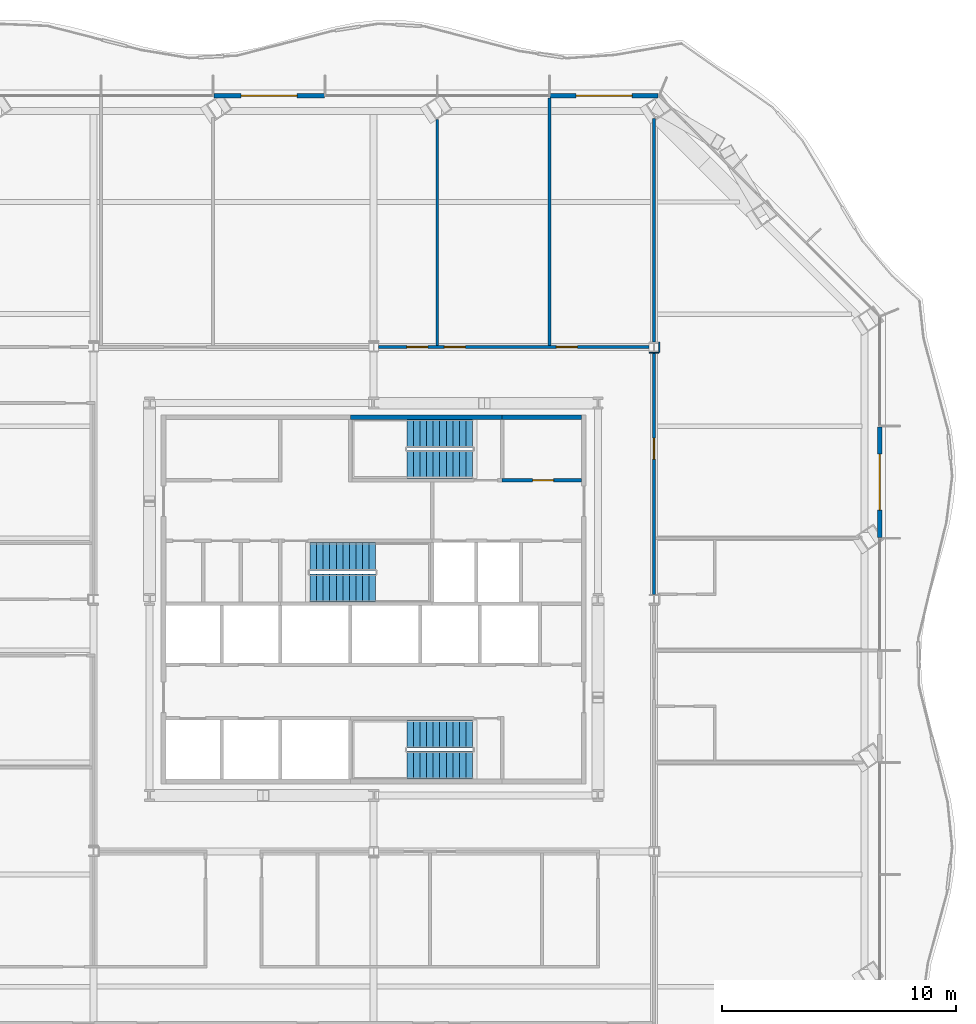
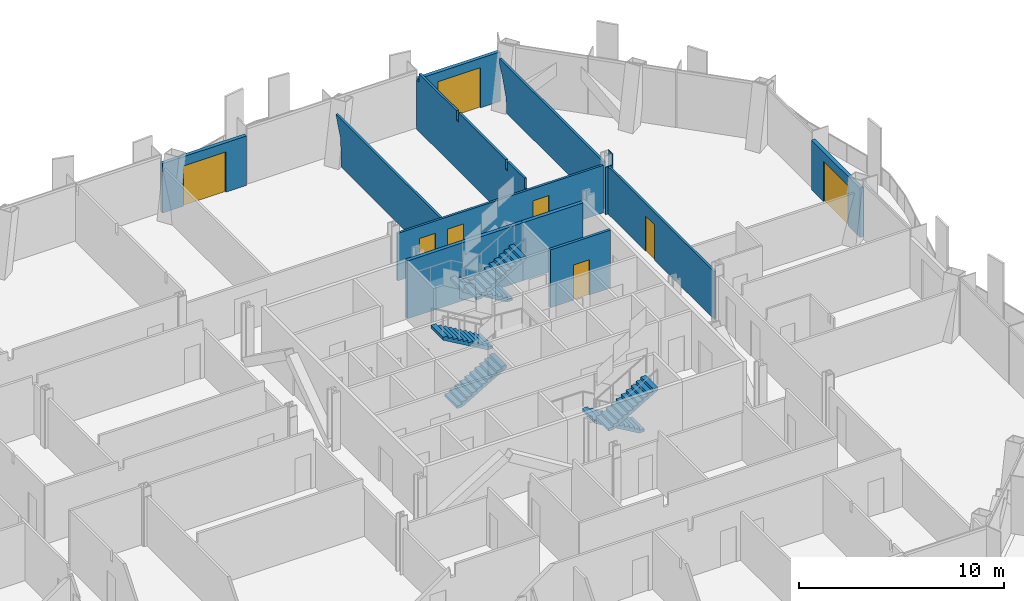
# One storey, part 12 of 19: 13 walls, 8 doors, 6 stair flights, 8 openings, 3 elements without a shape of their own.
"""IFC4 building model written with IfcOpenShell, lengths in metres."""

from ifc_helpers import new_model, si_unit, direction, frame, frame_2d, origin, place, context, subcontext, project, spatial, polyline, rectangle, outline, extrude, material, layer, layer_set, type_object, element, fill, aggregate, save


model = new_model("IFC4")

# Units and contexts
model_context = context("Model", 3, precision=1e-05, world=origin(), true_north=direction((0.0, 1.0)))
body_context = subcontext(model_context, "Body", "Model", "MODEL_VIEW")
ifc_project = project(units=[si_unit("LENGTHUNIT", "METRE"), si_unit("AREAUNIT", "SQUARE_METRE"), si_unit("VOLUMEUNIT", "CUBIC_METRE"), si_unit("PLANEANGLEUNIT", "RADIAN"), si_unit("MASSUNIT", "GRAM", prefix="KILO")], contexts=[model_context])

# Site, building, storey
site_placement = place(None, origin())
site = spatial("IfcSite", under=ifc_project, at=site_placement, CompositionType="ELEMENT")
building_placement = place(site_placement, origin())
building = spatial("IfcBuilding", under=site, at=building_placement, Name="Cairn Pilgrim Tower", CompositionType="ELEMENT")
storey_placement = place(building_placement, frame((0.0, 0.0, 90.60009765625)))
storey = spatial("IfcBuildingStorey", under=building, at=storey_placement, Name="L21", CompositionType="ELEMENT", Elevation=90.60009765625)

# Wall, opening, door
ifc_material_1 = material(Name="Bronze anodised aluminium insulated sandwich panel with mineral wool fill", Category="aluminium")
ifc_layer_1 = layer(ifc_material_1, 0.199951171875)
ifc_layer_set_1 = layer_set([ifc_layer_1], Name="BRONZE INFILL FRAME WALL 200")
wall_type_1 = type_object("IfcWallType", Name="BRONZE INFILL FRAME WALL 200", PredefinedType="NOTDEFINED", material=ifc_layer_set_1)
wall_1_placement = place(storey_placement, frame((28.87060546875, 5.043701171875, 0.0), z_axis=(0.0, 0.0, 1.0), x_axis=(0.0, 1.0, 0.0)))
wall_1 = element("IfcWall", 1, at=wall_1_placement, inside=storey, type_object=wall_type_1, Name="Bronze infill frame wall IW-E5", PredefinedType="NOTDEFINED", context=body_context, shape_type="SweptSolid", body=[
    extrude(rectangle(XDim=4.739990234375, YDim=0.199951171875, at=frame_2d((2.3701171875, 0.0))), origin(), (0.0, 0.0, 1.0), 2.949951171875),
])
opening_1_placement = place(wall_1_placement, frame((1.17041015625, 0.0, 0.0)))
opening_1 = element("IfcOpeningElement", 2, at=opening_1_placement, cuts=wall_1, Name="Opening 2124B", PredefinedType="OPENING", context=body_context, shape_type="SweptSolid", body=[
    extrude(rectangle(XDim=2.39990234375, YDim=2.39990234375, at=frame_2d((1.199951171875, 1.199951171875))), frame((0.0, 0.10986328125, 0.0), z_axis=(0.0, -1.0, 0.0), x_axis=(1.0, 0.0, 0.0)), (0.0, 0.0, 1.0), 0.219970703125),
])
ifc_material_2 = material(Name="Bronze anodised aluminium frame with tinted low-E glass", Category="aluminium")
door_type_1 = type_object("IfcDoorType", Name="BALCONY SLIDING DOOR 2400x2400", OperationType="DOUBLE_DOOR_SLIDING", PredefinedType="DOOR", material=ifc_material_2)
door_1_placement = place(opening_1_placement, origin())
door_1 = element("IfcDoor", 3, at=door_1_placement, inside=storey, type_object=door_type_1, Name="Balcony sliding door 2124B", OperationType="SINGLE_SWING_LEFT", OverallHeight=2.39990234375, OverallWidth=2.39990234375, PredefinedType="DOOR", context=body_context, shape_type="SweptSolid", body=[
    extrude(rectangle(XDim=2.39990234375, YDim=2.39990234375, at=frame_2d((1.199951171875, 1.199951171875))), frame((0.0, 0.02490234375, 0.0), z_axis=(0.0, -1.0, 0.0), x_axis=(1.0, 0.0, 0.0)), (0.0, 0.0, 1.0), 0.050048828125),
])
fill(opening_1, door_1)

wall_2_placement = place(storey_placement, frame((19.376953125, 23.963623046875, 0.0), z_axis=(0.0, 0.0, 1.0), x_axis=(-1.0, 0.0, 0.0)))
wall_2 = element("IfcWall", 4, at=wall_2_placement, inside=storey, type_object=wall_type_1, Name="Bronze infill frame wall IW-N1", PredefinedType="NOTDEFINED", context=body_context, shape_type="SweptSolid", body=[
    extrude(rectangle(XDim=4.62646484375, YDim=0.199951171875, at=frame_2d((2.313232421875, 0.0))), origin(), (0.0, 0.0, 1.0), 2.949951171875),
])
opening_2_placement = place(wall_2_placement, frame((1.10791015625, 0.0, 0.0)))
opening_2 = element("IfcOpeningElement", 5, at=opening_2_placement, cuts=wall_2, Name="Opening 2120B", PredefinedType="OPENING", context=body_context, shape_type="SweptSolid", body=[
    extrude(rectangle(XDim=2.39990234375, YDim=2.39990234375, at=frame_2d((1.199951171875, 1.199951171875))), frame((0.0, 0.10986328125, 0.0), z_axis=(0.0, -1.0, 0.0), x_axis=(1.0, 0.0, 0.0)), (0.0, 0.0, 1.0), 0.219970703125),
])
door_2_placement = place(opening_2_placement, origin())
door_2 = element("IfcDoor", 6, at=door_2_placement, inside=storey, type_object=door_type_1, Name="Balcony sliding door 2120B", OperationType="SINGLE_SWING_LEFT", OverallHeight=2.39990234375, OverallWidth=2.39990234375, PredefinedType="DOOR", context=body_context, shape_type="SweptSolid", body=[
    extrude(rectangle(XDim=2.39990234375, YDim=2.39990234375, at=frame_2d((1.199951171875, 1.199951171875))), frame((0.0, 0.02490234375, 0.0), z_axis=(0.0, -1.0, 0.0), x_axis=(1.0, 0.0, 0.0)), (0.0, 0.0, 1.0), 0.050048828125),
])
fill(opening_2, door_2)

wall_3_placement = place(storey_placement, frame((5.090576171875, 23.963623046875, 0.0), z_axis=(0.0, 0.0, 1.0), x_axis=(-1.0, 0.0, 0.0)))
wall_3 = element("IfcWall", 7, at=wall_3_placement, inside=storey, type_object=wall_type_1, Name="Bronze infill frame wall IW-N4", PredefinedType="NOTDEFINED", context=body_context, shape_type="SweptSolid", body=[
    extrude(rectangle(XDim=4.739990234375, YDim=0.199951171875, at=frame_2d((2.3701171875, 0.0))), origin(), (0.0, 0.0, 1.0), 2.949951171875),
])
opening_3_placement = place(wall_3_placement, frame((1.17041015625, 0.0, 0.0)))
opening_3 = element("IfcOpeningElement", 8, at=opening_3_placement, cuts=wall_3, Name="Opening 2118B", PredefinedType="OPENING", context=body_context, shape_type="SweptSolid", body=[
    extrude(rectangle(XDim=2.39990234375, YDim=2.39990234375, at=frame_2d((1.199951171875, 1.199951171875))), frame((0.0, 0.10986328125, 0.0), z_axis=(0.0, -1.0, 0.0), x_axis=(1.0, 0.0, 0.0)), (0.0, 0.0, 1.0), 0.219970703125),
])
door_3_placement = place(opening_3_placement, origin())
door_3 = element("IfcDoor", 9, at=door_3_placement, inside=storey, type_object=door_type_1, Name="Balcony sliding door 2118B", OperationType="SINGLE_SWING_LEFT", OverallHeight=2.39990234375, OverallWidth=2.39990234375, PredefinedType="DOOR", context=body_context, shape_type="SweptSolid", body=[
    extrude(rectangle(XDim=2.39990234375, YDim=2.39990234375, at=frame_2d((1.199951171875, 1.199951171875))), frame((0.0, 0.02490234375, 0.0), z_axis=(0.0, -1.0, 0.0), x_axis=(1.0, 0.0, 0.0)), (0.0, 0.0, 1.0), 0.050048828125),
])
fill(opening_3, door_3)

# Wall
ifc_material_3 = material(Name="Concrete C32/40", Category="concrete")
ifc_layer_2 = layer(ifc_material_3, 0.199951171875)
ifc_layer_set_2 = layer_set([ifc_layer_2], Name="CORE OUTER WALL 200 EI 120")
wall_type_2 = type_object("IfcWallType", Name="CORE OUTER WALL 200 EI 120", PredefinedType="SOLIDWALL", material=ifc_layer_set_2)
wall_4_placement = place(storey_placement, frame((12.699951171875, 10.199951171875, 0.0), z_axis=(0.0, 0.0, 1.0), x_axis=(1.0, 0.0, 0.0)))
element("IfcWall", 10, at=wall_4_placement, inside=storey, type_object=wall_type_2, Name="CW:L21:H11-3", PredefinedType="SOLIDWALL", context=body_context, shape_type="SweptSolid", body=[
    extrude(rectangle(XDim=3.400146484375, YDim=0.199951171875, at=frame_2d((1.7001953125, 0.0))), origin(), (0.0, 0.0, 1.0), 3.449951171875),
])

# Wall, opening, door
ifc_layer_3 = layer(ifc_material_3, 0.14990234375)
ifc_layer_set_3 = layer_set([ifc_layer_3], Name="CORE SHAFT WALL 150 EI 120")
wall_type_3 = type_object("IfcWallType", Name="CORE SHAFT WALL 150 EI 120", PredefinedType="SOLIDWALL", material=ifc_layer_set_3)
wall_5_placement = place(storey_placement, frame((12.699951171875, 7.5, 0.0), z_axis=(0.0, 0.0, 1.0), x_axis=(1.0, 0.0, 0.0)))
wall_5 = element("IfcWall", 11, at=wall_5_placement, inside=storey, type_object=wall_type_3, Name="CW:L21:H10-2", PredefinedType="SOLIDWALL", context=body_context, shape_type="SweptSolid", body=[
    extrude(rectangle(XDim=3.400146484375, YDim=0.14990234375, at=frame_2d((1.7001953125, 0.0))), origin(), (0.0, 0.0, 1.0), 3.449951171875),
])
opening_4_placement = place(wall_5_placement, frame((1.300048828125, 0.0, 0.0)))
opening_4 = element("IfcOpeningElement", 12, at=opening_4_placement, cuts=wall_5, Name="Opening RD-R4E", PredefinedType="OPENING", context=body_context, shape_type="SweptSolid", body=[
    extrude(rectangle(XDim=0.89990234375, YDim=2.10009765625, at=frame_2d((0.449951171875, 1.050048828125))), frame((0.0, 0.0849609375, 0.0), z_axis=(0.0, -1.0, 0.0), x_axis=(1.0, 0.0, 0.0)), (0.0, 0.0, 1.0), 0.169921875),
])
ifc_material_4 = material(Name="Painted steel", Category="steel")
door_type_2 = type_object("IfcDoorType", Name="SERVICE ROOM DOOR 900x2100", OperationType="SINGLE_SWING_LEFT", PredefinedType="DOOR", material=ifc_material_4)
door_4_placement = place(opening_4_placement, origin())
door_4 = element("IfcDoor", 13, at=door_4_placement, inside=storey, type_object=door_type_2, Name="RD-R4E", OperationType="SINGLE_SWING_LEFT", OverallHeight=2.10009765625, OverallWidth=0.89990234375, PredefinedType="DOOR", context=body_context, shape_type="SweptSolid", body=[
    extrude(rectangle(XDim=0.89990234375, YDim=2.10009765625, at=frame_2d((0.449951171875, 1.050048828125))), frame((0.0, 0.02490234375, 0.0), z_axis=(0.0, -1.0, 0.0), x_axis=(1.0, 0.0, 0.0)), (0.0, 0.0, 1.0), 0.050048828125),
])
fill(opening_4, door_4)

ifc_material_5 = material(Name="Gypsum partition")
ifc_layer_4 = layer(ifc_material_5, 0.125)
ifc_layer_set_4 = layer_set([ifc_layer_4], Name="PARTITION 125 DRYWALL EI 60")
wall_type_4 = type_object("IfcWallType", Name="PARTITION 125 DRYWALL EI 60", PredefinedType="PARTITIONING", material=ifc_layer_set_4)
wall_6_placement = place(storey_placement, frame((19.199951171875, 2.612548828125, 0.0), z_axis=(0.0, 0.0, 1.0), x_axis=(0.0, 1.0, 0.0)))
wall_6 = element("IfcWall", 14, at=wall_6_placement, inside=storey, type_object=wall_type_4, Name="PARTITION W053", PredefinedType="PARTITIONING", context=body_context, shape_type="SweptSolid", body=[
    extrude(rectangle(XDim=10.375, YDim=0.125, at=frame_2d((5.1875, 0.0))), origin(), (0.0, 0.0, 1.0), 2.829833984375),
])
opening_5_placement = place(wall_6_placement, frame((5.78759765625, 0.0, 0.0)))
opening_5 = element("IfcOpeningElement", 15, at=opening_5_placement, cuts=wall_6, Name="Opening 2124", PredefinedType="OPENING", context=body_context, shape_type="SweptSolid", body=[
    extrude(rectangle(XDim=0.89990234375, YDim=2.10009765625, at=frame_2d((0.449951171875, 1.050048828125))), frame((0.0, 0.072509765625, 0.0), z_axis=(0.0, -1.0, 0.0), x_axis=(1.0, 0.0, 0.0)), (0.0, 0.0, 1.0), 0.14501953125),
])
ifc_material_6 = material(Name="Steel-faced fire door leaf", Category="steel")
door_type_3 = type_object("IfcDoorType", Name="FIRE DOOR 900x2100 FD30S", OperationType="NOTDEFINED", PredefinedType="DOOR", material=ifc_material_6)
door_5_placement = place(opening_5_placement, frame((0.89990234375, 0.0, 0.0), z_axis=(0.0, 0.0, 1.0), x_axis=(-1.0, 0.0, 0.0)))
door_5 = element("IfcDoor", 16, at=door_5_placement, inside=storey, type_object=door_type_3, Name="DOOR 2124", OperationType="SINGLE_SWING_LEFT", OverallHeight=2.10009765625, OverallWidth=0.89990234375, PredefinedType="DOOR", context=body_context, shape_type="SweptSolid", body=[
    extrude(rectangle(XDim=0.89990234375, YDim=2.10009765625, at=frame_2d((0.449951171875, 1.050048828125))), frame((0.0, 0.02490234375, 0.0), z_axis=(0.0, -1.0, 0.0), x_axis=(1.0, 0.0, 0.0)), (0.0, 0.0, 1.0), 0.050048828125),
])
fill(opening_5, door_5)

# Wall, openings, doors
wall_7_placement = place(storey_placement, frame((7.404541015625, 13.199951171875, 0.0), z_axis=(0.0, 0.0, 1.0), x_axis=(1.0, 0.0, 0.0)))
wall_7 = element("IfcWall", 17, at=wall_7_placement, inside=storey, type_object=wall_type_4, Name="PARTITION W065", PredefinedType="PARTITIONING", context=body_context, shape_type="SweptSolid", body=[
    extrude(rectangle(XDim=11.591064453125, YDim=0.125, at=frame_2d((5.79541015625, 0.0))), origin(), (0.0, 0.0, 1.0), 2.829833984375),
])
opening_6_placement = place(wall_7_placement, frame((1.215576171875, 0.0, 0.0)))
opening_6 = element("IfcOpeningElement", 18, at=opening_6_placement, cuts=wall_7, Name="Opening 2118", PredefinedType="OPENING", context=body_context, shape_type="SweptSolid", body=[
    extrude(rectangle(XDim=0.89990234375, YDim=2.10009765625, at=frame_2d((0.449951171875, 1.050048828125))), frame((0.0, 0.072509765625, 0.0), z_axis=(0.0, -1.0, 0.0), x_axis=(1.0, 0.0, 0.0)), (0.0, 0.0, 1.0), 0.14501953125),
])
opening_7_placement = place(wall_7_placement, frame((2.8154296875, 0.0, 0.0)))
opening_7 = element("IfcOpeningElement", 19, at=opening_7_placement, cuts=wall_7, Name="Opening 2119", PredefinedType="OPENING", context=body_context, shape_type="SweptSolid", body=[
    extrude(rectangle(XDim=0.89990234375, YDim=2.10009765625, at=frame_2d((0.449951171875, 1.050048828125))), frame((0.0, 0.072509765625, 0.0), z_axis=(0.0, -1.0, 0.0), x_axis=(1.0, 0.0, 0.0)), (0.0, 0.0, 1.0), 0.14501953125),
])
opening_8_placement = place(wall_7_placement, frame((7.615478515625, 0.0, 0.0)))
opening_8 = element("IfcOpeningElement", 20, at=opening_8_placement, cuts=wall_7, Name="Opening 2120", PredefinedType="OPENING", context=body_context, shape_type="SweptSolid", body=[
    extrude(rectangle(XDim=0.89990234375, YDim=2.10009765625, at=frame_2d((0.449951171875, 1.050048828125))), frame((0.0, 0.072509765625, 0.0), z_axis=(0.0, -1.0, 0.0), x_axis=(1.0, 0.0, 0.0)), (0.0, 0.0, 1.0), 0.14501953125),
])
door_6_placement = place(opening_6_placement, origin())
door_6 = element("IfcDoor", 21, at=door_6_placement, inside=storey, type_object=door_type_3, Name="DOOR 2118", OperationType="SINGLE_SWING_LEFT", OverallHeight=2.10009765625, OverallWidth=0.89990234375, PredefinedType="DOOR", context=body_context, shape_type="SweptSolid", body=[
    extrude(rectangle(XDim=0.89990234375, YDim=2.10009765625, at=frame_2d((0.449951171875, 1.050048828125))), frame((0.0, 0.02490234375, 0.0), z_axis=(0.0, -1.0, 0.0), x_axis=(1.0, 0.0, 0.0)), (0.0, 0.0, 1.0), 0.050048828125),
])
fill(opening_6, door_6)
door_7_placement = place(opening_7_placement, origin())
door_7 = element("IfcDoor", 22, at=door_7_placement, inside=storey, type_object=door_type_3, Name="DOOR 2119", OperationType="SINGLE_SWING_RIGHT", OverallHeight=2.10009765625, OverallWidth=0.89990234375, PredefinedType="DOOR", context=body_context, shape_type="SweptSolid", body=[
    extrude(rectangle(XDim=0.89990234375, YDim=2.10009765625, at=frame_2d((0.449951171875, 1.050048828125))), frame((0.0, 0.02490234375, 0.0), z_axis=(0.0, -1.0, 0.0), x_axis=(1.0, 0.0, 0.0)), (0.0, 0.0, 1.0), 0.050048828125),
])
fill(opening_7, door_7)
door_8_placement = place(opening_8_placement, origin())
door_8 = element("IfcDoor", 23, at=door_8_placement, inside=storey, type_object=door_type_3, Name="DOOR 2120", OperationType="SINGLE_SWING_LEFT", OverallHeight=2.10009765625, OverallWidth=0.89990234375, PredefinedType="DOOR", context=body_context, shape_type="SweptSolid", body=[
    extrude(rectangle(XDim=0.89990234375, YDim=2.10009765625, at=frame_2d((0.449951171875, 1.050048828125))), frame((0.0, 0.02490234375, 0.0), z_axis=(0.0, -1.0, 0.0), x_axis=(1.0, 0.0, 0.0)), (0.0, 0.0, 1.0), 0.050048828125),
])
fill(opening_8, door_8)

# Walls
wall_8_placement = place(storey_placement, frame((9.919921875, 13.262451171875, 0.0), z_axis=(0.0, 0.0, 1.0), x_axis=(0.0, 1.0, 0.0)))
element("IfcWall", 24, at=wall_8_placement, inside=storey, type_object=wall_type_4, Name="PARTITION W070", PredefinedType="PARTITIONING", context=body_context, shape_type="SweptSolid", body=[
    extrude(outline(polyline([(0.0, 0.0), (9.65283203125, 0.0), (9.65283203125, 0.8623046875), (9.7294921875, 1.724853515625), (10.072021484375, 2.58740234375), (10.172607421875, 2.829833984375), (0.0, 2.829833984375), (0.0, 2.58740234375), (0.0, 1.724853515625), (0.0, 0.8623046875), (0.0, 0.0)])), frame((0.0, 0.0625, 0.0), z_axis=(0.0, -1.0, 0.0), x_axis=(1.0, 0.0, 0.0)), (0.0, 0.0, 1.0), 0.125),
])
wall_9_placement = place(storey_placement, frame((14.719970703125, 13.262451171875, 0.0), z_axis=(0.0, 0.0, 1.0), x_axis=(0.0, 1.0, 0.0)))
element("IfcWall", 25, at=wall_9_placement, inside=storey, type_object=wall_type_4, Name="PARTITION W071", PredefinedType="PARTITIONING", context=body_context, shape_type="SweptSolid", body=[
    extrude(outline(polyline([(0.0, 0.0), (10.601318359375, 0.0), (10.601318359375, 2.929931640625), (10.35986328125, 2.929931640625), (10.35791015625, 3.449951171875), (6.71484375, 3.449951171875), (6.712890625, 2.8798828125), (6.5048828125, 2.8798828125), (6.502685546875, 3.449951171875), (1.914794921875, 3.449951171875), (1.912841796875, 2.8798828125), (1.704833984375, 2.8798828125), (1.702880859375, 3.449951171875), (0.08740234375, 3.449951171875), (0.08544921875, 2.829833984375), (0.0, 2.829833984375), (0.0, 0.0)])), frame((0.0, 0.0625, 0.0), z_axis=(0.0, -1.0, 0.0), x_axis=(1.0, 0.0, 0.0)), (0.0, 0.0, 1.0), 0.125),
])
wall_10_placement = place(storey_placement, frame((19.199951171875, 13.41259765625, 0.0), z_axis=(0.0, 0.0, 1.0), x_axis=(0.0, 1.0, 0.0)))
element("IfcWall", 26, at=wall_10_placement, inside=storey, type_object=wall_type_4, Name="PARTITION W072", PredefinedType="PARTITIONING", context=body_context, shape_type="SweptSolid", body=[
    extrude(outline(polyline([(0.0, 0.0), (9.413818359375, 0.0), (9.4697265625, 0.8623046875), (9.765380859375, 1.724853515625), (10.12255859375, 2.58740234375), (10.12255859375, 2.829833984375), (0.0, 2.829833984375), (0.0, 2.58740234375), (0.0, 1.724853515625), (0.0, 0.8623046875), (0.0, 0.0)])), frame((0.0, 0.0625, 0.0), z_axis=(0.0, -1.0, 0.0), x_axis=(1.0, 0.0, 0.0)), (0.0, 0.0, 1.0), 0.125),
])
ifc_layer_5 = layer(ifc_material_5, 0.050048828125)
ifc_layer_set_5 = layer_set([ifc_layer_5], Name="PARTITION 50 DRYWALL EI 60")
wall_type_5 = type_object("IfcWallType", Name="PARTITION 50 DRYWALL EI 60", PredefinedType="PARTITIONING", material=ifc_layer_set_5)
wall_11_placement = place(storey_placement, frame((19.429443359375, 12.987548828125, 0.0), z_axis=(0.0, 0.0, 1.0), x_axis=(0.0, 1.0, 0.0)))
element("IfcWall", 27, at=wall_11_placement, inside=storey, type_object=wall_type_5, Name="COLUMN CASING WC04", PredefinedType="PARTITIONING", context=body_context, shape_type="SweptSolid", body=[
    extrude(rectangle(XDim=0.425048828125, YDim=0.050048828125, at=frame_2d((0.21240234375, 0.0))), origin(), (0.0, 0.0, 1.0), 3.449951171875),
])
wall_12_placement = place(storey_placement, frame((18.99560546875, 12.96240234375, 0.0), z_axis=(0.0, 0.0, 1.0), x_axis=(1.0, 0.0, 0.0)))
element("IfcWall", 28, at=wall_12_placement, inside=storey, type_object=wall_type_5, Name="COLUMN CASING WC17", PredefinedType="PARTITIONING", context=body_context, shape_type="SweptSolid", body=[
    extrude(rectangle(XDim=0.408935546875, YDim=0.050048828125, at=frame_2d((0.20458984375, 0.0))), origin(), (0.0, 0.0, 1.0), 2.829833984375),
])
ifc_material_7 = material(Name="Concrete C35/45", Category="concrete")
ifc_layer_6 = layer(ifc_material_7, 0.199951171875)
ifc_layer_set_6 = layer_set([ifc_layer_6], Name="STAIR SHAFT WALL 200 EI 120")
wall_type_6 = type_object("IfcWallType", Name="STAIR SHAFT WALL 200 EI 120", PredefinedType="SOLIDWALL", material=ifc_layer_set_6)
wall_13_placement = place(storey_placement, frame((6.199951171875, 10.199951171875, 0.0), z_axis=(0.0, 0.0, 1.0), x_axis=(1.0, 0.0, 0.0)))
element("IfcWall", 29, at=wall_13_placement, inside=storey, type_object=wall_type_6, Name="CW:L21:H11-2", PredefinedType="SOLIDWALL", context=body_context, shape_type="SweptSolid", body=[
    extrude(rectangle(XDim=6.5, YDim=0.199951171875, at=frame_2d((3.25, 0.0))), origin(), (0.0, 0.0, 1.0), 3.449951171875),
])

# Stair, stair flights
stair_type = type_object("IfcStairType", Name="EXIT STAIR 1200", PredefinedType="HALF_TURN_STAIR", material=ifc_material_3)
stair_1_placement = place(storey_placement, origin())
stair_1 = element("IfcStair", 30, at=stair_1_placement, inside=storey, type_object=stair_type, Name="L21 Exit Stair A", PredefinedType="HALF_TURN_STAIR")
stair_flight_type = type_object("IfcStairFlightType", Name="STAIR FLIGHT 1200", PredefinedType="STRAIGHT", material=ifc_material_3)
stair_flight_1_placement = place(storey_placement, frame((11.425048828125, -3.375, 0.0), z_axis=(0.0, 0.0, 1.0), x_axis=(-1.0, 0.0, 0.0)))
stair_flight_1 = element("IfcStairFlight", 31, at=stair_flight_1_placement, type_object=stair_flight_type, Name="ST-A flight 1", NumberOfRisers=11, NumberOfTreads=10, PredefinedType="STRAIGHT", RiserHeight=0.163636364, TreadLength=0.28, context=body_context, shape_type="SweptSolid", body=[
    extrude(outline(polyline([(0.0, 0.0), (0.0, 0.16357421875), (0.280029296875, 0.16357421875), (0.280029296875, 0.327392578125), (0.56005859375, 0.327392578125), (0.56005859375, 0.490966796875), (0.840087890625, 0.490966796875), (0.840087890625, 0.654541015625), (1.1201171875, 0.654541015625), (1.1201171875, 0.818115234375), (1.39990234375, 0.818115234375), (1.39990234375, 0.98193359375), (1.679931640625, 0.98193359375), (1.679931640625, 1.1455078125), (1.9599609375, 1.1455078125), (1.9599609375, 1.30908203125), (2.239990234375, 1.30908203125), (2.239990234375, 1.47265625), (2.52001953125, 1.47265625), (2.52001953125, 1.636474609375), (2.800048828125, 1.636474609375), (2.800048828125, 1.800048828125), (2.800048828125, 1.462646484375), (0.297119140625, 0.0), (0.0, 0.0)])), frame((0.0, 0.60009765625, 0.0), z_axis=(0.0, -1.0, 0.0), x_axis=(1.0, 0.0, 0.0)), (0.0, 0.0, 1.0), 1.199951171875),
])
stair_flight_2_placement = place(storey_placement, frame((8.625, -4.699951171875, 1.7998046875), z_axis=(0.0, 0.0, 1.0), x_axis=(1.0, 0.0, 0.0)))
stair_flight_2 = element("IfcStairFlight", 32, at=stair_flight_2_placement, type_object=stair_flight_type, Name="ST-A flight 2", NumberOfRisers=11, NumberOfTreads=10, PredefinedType="STRAIGHT", RiserHeight=0.163636364, TreadLength=0.28, context=body_context, shape_type="SweptSolid", body=[
    extrude(outline(polyline([(0.0, 0.0), (0.0, 0.16357421875), (0.280029296875, 0.16357421875), (0.280029296875, 0.327392578125), (0.56005859375, 0.327392578125), (0.56005859375, 0.490966796875), (0.840087890625, 0.490966796875), (0.840087890625, 0.654541015625), (1.1201171875, 0.654541015625), (1.1201171875, 0.818115234375), (1.39990234375, 0.818115234375), (1.39990234375, 0.98193359375), (1.679931640625, 0.98193359375), (1.679931640625, 1.1455078125), (1.9599609375, 1.1455078125), (1.9599609375, 1.30908203125), (2.239990234375, 1.30908203125), (2.239990234375, 1.47265625), (2.52001953125, 1.47265625), (2.52001953125, 1.636474609375), (2.800048828125, 1.636474609375), (2.800048828125, 1.800048828125), (2.800048828125, 1.462646484375), (0.297119140625, 0.0), (0.0, 0.0)])), frame((0.0, 0.60009765625, 0.0), z_axis=(0.0, -1.0, 0.0), x_axis=(1.0, 0.0, 0.0)), (0.0, 0.0, 1.0), 1.199951171875),
])
aggregate(stair_1, [stair_flight_1, stair_flight_2])

stair_2_placement = place(storey_placement, origin())
stair_2 = element("IfcStair", 33, at=stair_2_placement, inside=storey, type_object=stair_type, Name="L21 Exit Stair B", PredefinedType="HALF_TURN_STAIR")
stair_flight_3_placement = place(storey_placement, frame((4.47509765625, 2.875, 0.0), z_axis=(0.0, 0.0, 1.0), x_axis=(1.0, 0.0, 0.0)))
stair_flight_3 = element("IfcStairFlight", 34, at=stair_flight_3_placement, type_object=stair_flight_type, Name="ST-B flight 1", NumberOfRisers=11, NumberOfTreads=10, PredefinedType="STRAIGHT", RiserHeight=0.163636364, TreadLength=0.28, context=body_context, shape_type="SweptSolid", body=[
    extrude(outline(polyline([(0.0, 0.0), (0.0, 0.16357421875), (0.280029296875, 0.16357421875), (0.280029296875, 0.327392578125), (0.56005859375, 0.327392578125), (0.56005859375, 0.490966796875), (0.840087890625, 0.490966796875), (0.840087890625, 0.654541015625), (1.1201171875, 0.654541015625), (1.1201171875, 0.818115234375), (1.39990234375, 0.818115234375), (1.39990234375, 0.98193359375), (1.679931640625, 0.98193359375), (1.679931640625, 1.1455078125), (1.9599609375, 1.1455078125), (1.9599609375, 1.30908203125), (2.239990234375, 1.30908203125), (2.239990234375, 1.47265625), (2.52001953125, 1.47265625), (2.52001953125, 1.636474609375), (2.800048828125, 1.636474609375), (2.800048828125, 1.800048828125), (2.800048828125, 1.462646484375), (0.297119140625, 0.0), (0.0, 0.0)])), frame((0.0, 0.60009765625, 0.0), z_axis=(0.0, -1.0, 0.0), x_axis=(1.0, 0.0, 0.0)), (0.0, 0.0, 1.0), 1.199951171875),
])
stair_flight_4_placement = place(storey_placement, frame((7.27490234375, 4.22509765625, 1.7998046875), z_axis=(0.0, 0.0, 1.0), x_axis=(-1.0, 0.0, 0.0)))
stair_flight_4 = element("IfcStairFlight", 35, at=stair_flight_4_placement, type_object=stair_flight_type, Name="ST-B flight 2", NumberOfRisers=11, NumberOfTreads=10, PredefinedType="STRAIGHT", RiserHeight=0.163636364, TreadLength=0.28, context=body_context, shape_type="SweptSolid", body=[
    extrude(outline(polyline([(0.0, 0.0), (0.0, 0.16357421875), (0.280029296875, 0.16357421875), (0.280029296875, 0.327392578125), (0.56005859375, 0.327392578125), (0.56005859375, 0.490966796875), (0.840087890625, 0.490966796875), (0.840087890625, 0.654541015625), (1.1201171875, 0.654541015625), (1.1201171875, 0.818115234375), (1.39990234375, 0.818115234375), (1.39990234375, 0.98193359375), (1.679931640625, 0.98193359375), (1.679931640625, 1.1455078125), (1.9599609375, 1.1455078125), (1.9599609375, 1.30908203125), (2.239990234375, 1.30908203125), (2.239990234375, 1.47265625), (2.52001953125, 1.47265625), (2.52001953125, 1.636474609375), (2.800048828125, 1.636474609375), (2.800048828125, 1.800048828125), (2.800048828125, 1.462646484375), (0.297119140625, 0.0), (0.0, 0.0)])), frame((0.0, 0.60009765625, 0.0), z_axis=(0.0, -1.0, 0.0), x_axis=(1.0, 0.0, 0.0)), (0.0, 0.0, 1.0), 1.199951171875),
])
aggregate(stair_2, [stair_flight_3, stair_flight_4])

stair_3_placement = place(storey_placement, origin())
stair_3 = element("IfcStair", 36, at=stair_3_placement, inside=storey, type_object=stair_type, Name="L21 Exit Stair C", PredefinedType="HALF_TURN_STAIR")
stair_flight_5_placement = place(storey_placement, frame((11.425048828125, 9.5, 0.0), z_axis=(0.0, 0.0, 1.0), x_axis=(-1.0, 0.0, 0.0)))
stair_flight_5 = element("IfcStairFlight", 37, at=stair_flight_5_placement, type_object=stair_flight_type, Name="ST-C flight 1", NumberOfRisers=11, NumberOfTreads=10, PredefinedType="STRAIGHT", RiserHeight=0.163636364, TreadLength=0.28, context=body_context, shape_type="SweptSolid", body=[
    extrude(outline(polyline([(0.0, 0.0), (0.0, 0.16357421875), (0.280029296875, 0.16357421875), (0.280029296875, 0.327392578125), (0.56005859375, 0.327392578125), (0.56005859375, 0.490966796875), (0.840087890625, 0.490966796875), (0.840087890625, 0.654541015625), (1.1201171875, 0.654541015625), (1.1201171875, 0.818115234375), (1.39990234375, 0.818115234375), (1.39990234375, 0.98193359375), (1.679931640625, 0.98193359375), (1.679931640625, 1.1455078125), (1.9599609375, 1.1455078125), (1.9599609375, 1.30908203125), (2.239990234375, 1.30908203125), (2.239990234375, 1.47265625), (2.52001953125, 1.47265625), (2.52001953125, 1.636474609375), (2.800048828125, 1.636474609375), (2.800048828125, 1.800048828125), (2.800048828125, 1.462646484375), (0.297119140625, 0.0), (0.0, 0.0)])), frame((0.0, 0.60009765625, 0.0), z_axis=(0.0, -1.0, 0.0), x_axis=(1.0, 0.0, 0.0)), (0.0, 0.0, 1.0), 1.199951171875),
])
stair_flight_6_placement = place(storey_placement, frame((8.625, 8.175048828125, 1.7998046875), z_axis=(0.0, 0.0, 1.0), x_axis=(1.0, 0.0, 0.0)))
stair_flight_6 = element("IfcStairFlight", 38, at=stair_flight_6_placement, type_object=stair_flight_type, Name="ST-C flight 2", NumberOfRisers=11, NumberOfTreads=10, PredefinedType="STRAIGHT", RiserHeight=0.163636364, TreadLength=0.28, context=body_context, shape_type="SweptSolid", body=[
    extrude(outline(polyline([(0.0, 0.0), (0.0, 0.16357421875), (0.280029296875, 0.16357421875), (0.280029296875, 0.327392578125), (0.56005859375, 0.327392578125), (0.56005859375, 0.490966796875), (0.840087890625, 0.490966796875), (0.840087890625, 0.654541015625), (1.1201171875, 0.654541015625), (1.1201171875, 0.818115234375), (1.39990234375, 0.818115234375), (1.39990234375, 0.98193359375), (1.679931640625, 0.98193359375), (1.679931640625, 1.1455078125), (1.9599609375, 1.1455078125), (1.9599609375, 1.30908203125), (2.239990234375, 1.30908203125), (2.239990234375, 1.47265625), (2.52001953125, 1.47265625), (2.52001953125, 1.636474609375), (2.800048828125, 1.636474609375), (2.800048828125, 1.800048828125), (2.800048828125, 1.462646484375), (0.297119140625, 0.0), (0.0, 0.0)])), frame((0.0, 0.60009765625, 0.0), z_axis=(0.0, -1.0, 0.0), x_axis=(1.0, 0.0, 0.0)), (0.0, 0.0, 1.0), 1.199951171875),
])
aggregate(stair_3, [stair_flight_5, stair_flight_6])

save(model, "model.ifc")
